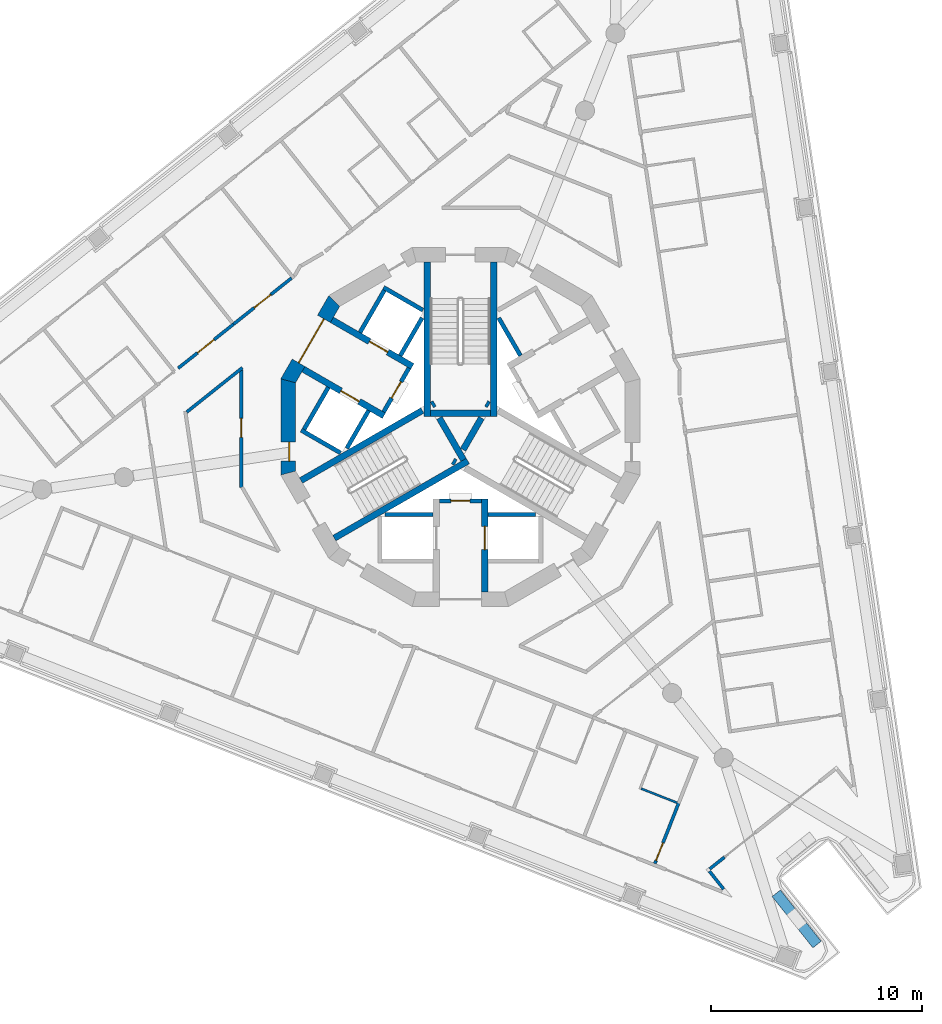
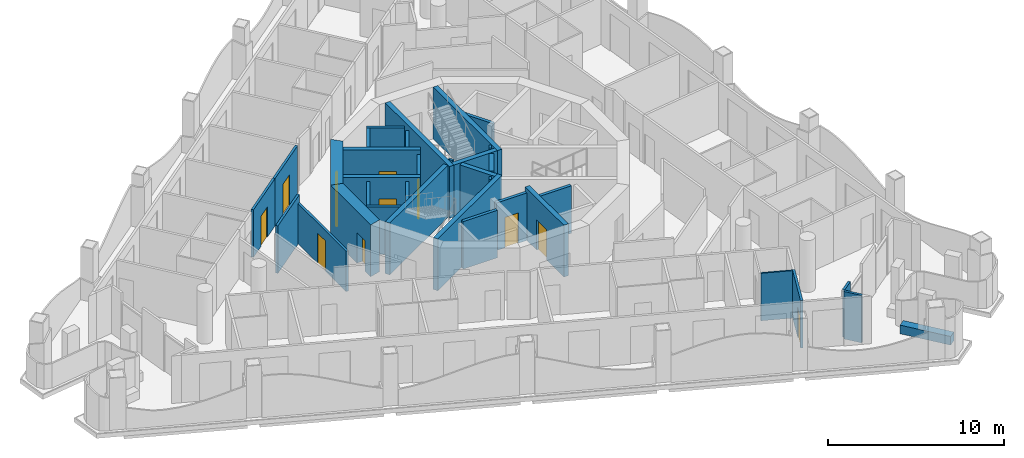
# One storey, part 4 of 16: 35 walls, 11 doors, 11 openings.
"""IFC4 building model written with IfcOpenShell, lengths in metres."""

from ifc_helpers import new_model, si_unit, direction, frame, frame_2d, origin, place, context, subcontext, project, spatial, polyline, rectangle, outline, extrude, material, layer, layer_set, type_object, element, fill, save


model = new_model("IFC4")

# Units and contexts
model_context = context("Model", 3, precision=1e-05, world=origin(), true_north=direction((0.0, 1.0)))
body_context = subcontext(model_context, "Body", "Model", "MODEL_VIEW")
ifc_project = project(units=[si_unit("LENGTHUNIT", "METRE"), si_unit("AREAUNIT", "SQUARE_METRE"), si_unit("VOLUMEUNIT", "CUBIC_METRE"), si_unit("PLANEANGLEUNIT", "RADIAN"), si_unit("MASSUNIT", "GRAM", prefix="KILO")], contexts=[model_context])

# Site, building, storey
site_placement = place(None, origin())
site = spatial("IfcSite", under=ifc_project, at=site_placement, CompositionType="ELEMENT")
building_placement = place(site_placement, origin())
building = spatial("IfcBuilding", under=site, at=building_placement, Name="Trine Commons Tower", CompositionType="ELEMENT")
storey_placement = place(building_placement, frame((0.0, 0.0, 201.60009765625)))
storey = spatial("IfcBuildingStorey", under=building, at=storey_placement, Name="L52", CompositionType="ELEMENT", Elevation=201.60009765625)

# Walls
ifc_material_1 = material(Name="Aluminium-framed insulated wall panel", Category="aluminium")
ifc_layer_1 = layer(ifc_material_1, 0.14990234375)
ifc_layer_set_1 = layer_set([ifc_layer_1], Name="Aluminium-framed insulated wall panel")
wall_type_1 = type_object("IfcWallType", Name="Glazed frame wall 150, EI 60", PredefinedType="SOLIDWALL", material=ifc_layer_set_1)
wall_1_placement = place(storey_placement, frame((92.493896484375, 42.134521484375, 0.0), z_axis=(0.0, 0.0, 1.0), x_axis=(-0.782628082779, -0.622489585492, 0.0)))
element("IfcWall", 1, at=wall_1_placement, inside=storey, type_object=wall_type_1, Name="Glazed frame wall P2.5", PredefinedType="SOLIDWALL", context=body_context, shape_type="SweptSolid", body=[
    extrude(outline(polyline([(0.889892578125, 0.074951171875), (0.0, 0.074951171875), (0.0, -0.074951171875), (0.889892578125, -0.074951171875), (0.889892578125, 0.074951171875)])), origin(), (0.0, 0.0, 1.0), 3.2998046875),
])
wall_2_placement = place(storey_placement, frame((91.716796875, 41.56103515625, 0.0), z_axis=(0.0, 0.0, 1.0), x_axis=(0.622611995912, -0.7825307039, 0.0)))
element("IfcWall", 2, at=wall_2_placement, inside=storey, type_object=wall_type_1, Name="Glazed frame wall R8", PredefinedType="SOLIDWALL", context=body_context, shape_type="SweptSolid", body=[
    extrude(outline(polyline([(0.110107421875, 0.074951171875), (0.110107421875, -0.074951171875), (1.19580078125, -0.074951171875), (1.19580078125, 0.074951171875), (0.110107421875, 0.074951171875)])), origin(), (0.0, 0.0, 1.0), 3.2998046875),
])

# Wall, opening, door
ifc_material_2 = material(Name="Fire-rated gypsum shaft wall system")
ifc_layer_2 = layer(ifc_material_2, 0.199951171875)
ifc_layer_set_2 = layer_set([ifc_layer_2], Name="Fire-rated gypsum shaft wall system")
wall_type_2 = type_object("IfcWallType", Name="Lobby end wall 200 mm, EI 120", PredefinedType="PARTITIONING", material=ifc_layer_set_2)
wall_3_placement = place(storey_placement, frame((77.569091796875, 65.2890625, 0.0), z_axis=(0.0, 0.0, 1.0), x_axis=(-0.50012165622, -0.865955154139, 0.0)))
wall_3 = element("IfcWall", 3, at=wall_3_placement, inside=storey, type_object=wall_type_2, Name="Lobby end wall L52", PredefinedType="PARTITIONING", context=body_context, shape_type="SweptSolid", body=[
    extrude(rectangle(XDim=2.39990234375, YDim=0.199951171875, at=frame_2d((1.199951171875, 0.0))), origin(), (0.0, 0.0, 1.0), 3.2998046875),
])
opening_1_placement = place(wall_3_placement, frame((0.749755859375, 0.0, 0.0)))
opening_1 = element("IfcOpeningElement", 4, at=opening_1_placement, cuts=wall_3, Name="Opening K16.07", PredefinedType="OPENING", context=body_context, shape_type="SweptSolid", body=[
    extrude(rectangle(XDim=0.89990234375, YDim=2.10009765625, at=frame_2d((0.449951171875, 1.050048828125))), frame((0.0, 0.10986328125, 0.0), z_axis=(0.0, -1.0, 0.0), x_axis=(1.0, 0.0, 0.0)), (0.0, 0.0, 1.0), 0.219970703125),
])
ifc_material_3 = material(Name="Steel door leaf, fire-rated", Category="steel")
door_type_1 = type_object("IfcDoorType", Name="Riser access door, single leaf 900 x 2100, FD60", OperationType="SINGLE_SWING_LEFT", PredefinedType="DOOR", material=ifc_material_3)
door_1_placement = place(opening_1_placement, frame((0.89990234375, 0.0, 0.0), z_axis=(0.0, 0.0, 1.0), x_axis=(-1.0, 0.0, 0.0)))
door_1 = element("IfcDoor", 5, at=door_1_placement, inside=storey, type_object=door_type_1, Name="Riser door, Mechanical riser L52", OperationType="SINGLE_SWING_RIGHT", OverallHeight=2.10009765625, OverallWidth=0.89990234375, PredefinedType="DOOR", context=body_context, shape_type="SweptSolid", body=[
    extrude(rectangle(XDim=0.89990234375, YDim=2.10009765625, at=frame_2d((0.449951171875, 1.050048828125))), frame((0.0, 0.02490234375, 0.0), z_axis=(0.0, -1.0, 0.0), x_axis=(1.0, 0.0, 0.0)), (0.0, 0.0, 1.0), 0.050048828125),
])
fill(opening_1, door_1)

wall_4_placement = place(storey_placement, frame((79.0, 59.0, 0.0), z_axis=(0.0, 0.0, 1.0), x_axis=(1.0, 0.0, 0.0)))
wall_4 = element("IfcWall", 6, at=wall_4_placement, inside=storey, type_object=wall_type_2, Name="Lobby end wall L52", PredefinedType="PARTITIONING", context=body_context, shape_type="SweptSolid", body=[
    extrude(rectangle(XDim=2.0, YDim=0.199951171875, at=frame_2d((1.0, 0.0))), origin(), (0.0, 0.0, 1.0), 3.2998046875),
])
opening_2_placement = place(wall_4_placement, frame((0.550048828125, 0.0, 0.0)))
opening_2 = element("IfcOpeningElement", 7, at=opening_2_placement, cuts=wall_4, Name="Opening K16.09", PredefinedType="OPENING", context=body_context, shape_type="SweptSolid", body=[
    extrude(rectangle(XDim=0.89990234375, YDim=2.10009765625, at=frame_2d((0.449951171875, 1.050048828125))), frame((0.0, 0.10986328125, 0.0), z_axis=(0.0, -1.0, 0.0), x_axis=(1.0, 0.0, 0.0)), (0.0, 0.0, 1.0), 0.219970703125),
])
door_2_placement = place(opening_2_placement, frame((0.89990234375, 0.0, 0.0), z_axis=(0.0, 0.0, 1.0), x_axis=(-1.0, 0.0, 0.0)))
door_2 = element("IfcDoor", 8, at=door_2_placement, inside=storey, type_object=door_type_1, Name="Riser door, Communications riser L52", OperationType="SINGLE_SWING_RIGHT", OverallHeight=2.10009765625, OverallWidth=0.89990234375, PredefinedType="DOOR", context=body_context, shape_type="SweptSolid", body=[
    extrude(rectangle(XDim=0.89990234375, YDim=2.10009765625, at=frame_2d((0.449951171875, 1.050048828125))), frame((0.0, 0.02490234375, 0.0), z_axis=(0.0, -1.0, 0.0), x_axis=(1.0, 0.0, 0.0)), (0.0, 0.0, 1.0), 0.050048828125),
])
fill(opening_2, door_2)

# Wall
ifc_material_4 = material(Name="Planter trough, precast concrete C40/50", Category="concrete")
ifc_layer_3 = layer(ifc_material_4, 0.5)
ifc_layer_set_3 = layer_set([ifc_layer_3], Name="Planter trough, precast concrete C40/50")
wall_type_3 = type_object("IfcWallType", Name="Planter trough 500x600", PredefinedType="PARAPET", material=ifc_layer_set_3)
wall_5_placement = place(storey_placement, frame((94.950439453125, 40.427490234375, 0.0), z_axis=(0.0, 0.0, 1.0), x_axis=(0.622550971161, -0.782579253691, 0.0)))
element("IfcWall", 9, at=wall_5_placement, inside=storey, type_object=wall_type_3, Name="Planter 9", PredefinedType="PARAPET", context=body_context, shape_type="SweptSolid", body=[
    extrude(rectangle(XDim=3.10009765625, YDim=0.5, at=frame_2d((1.550048828125, 0.0))), origin(), (0.0, 0.0, 1.0), 0.599853515625),
])

# Wall, opening, door
ifc_material_5 = material(Name="Concrete C60/75", Category="concrete")
ifc_layer_4 = layer(ifc_material_5, 0.300048828125)
ifc_layer_set_4 = layer_set([ifc_layer_4], Name="Concrete C60/75")
wall_type_4 = type_object("IfcWallType", Name="RC shear wall 300 mm, C60/75", PredefinedType="SHEAR", material=ifc_layer_set_4)
wall_6_placement = place(storey_placement, frame((76.381103515625, 63.031005859375, 0.0), z_axis=(0.0, 0.0, 1.0), x_axis=(-0.866059941101, 0.499940174841, 0.0)))
wall_6 = element("IfcWall", 10, at=wall_6_placement, inside=storey, type_object=wall_type_4, Name="Core cross wall SWC-01 L52", PredefinedType="SHEAR", context=body_context, shape_type="SweptSolid", body=[
    extrude(rectangle(XDim=4.400390625, YDim=0.300048828125, at=frame_2d((2.2001953125, 0.0))), origin(), (0.0, 0.0, 1.0), 3.599853515625),
])
opening_3_placement = place(wall_6_placement, frame((1.350341796875, 0.0, 0.0)))
opening_3 = element("IfcOpeningElement", 11, at=opening_3_placement, cuts=wall_6, Name="Opening LD7", PredefinedType="OPENING", context=body_context, shape_type="SweptSolid", body=[
    extrude(rectangle(XDim=1.0, YDim=2.10009765625, at=frame_2d((0.5, 1.050048828125))), frame((0.0, 0.159912109375, 0.0), z_axis=(0.0, -1.0, 0.0), x_axis=(1.0, 0.0, 0.0)), (0.0, 0.0, 1.0), 0.320068359375),
])
ifc_material_6 = material(Name="Stainless steel sliding door leaves", Category="steel")
door_type_2 = type_object("IfcDoorType", Name="Lift landing door, centre-opening sliding 1000 x 2100, FD90", OperationType="DOUBLE_DOOR_SLIDING", PredefinedType="DOOR", material=ifc_material_6)
door_3_placement = place(opening_3_placement, origin())
door_3 = element("IfcDoor", 12, at=door_3_placement, inside=storey, type_object=door_type_2, Name="Lift landing door HR3 L52", OperationType="DOUBLE_DOOR_SLIDING", OverallHeight=2.10009765625, OverallWidth=1.0, PredefinedType="DOOR", context=body_context, shape_type="SweptSolid", body=[
    extrude(rectangle(XDim=1.0, YDim=2.10009765625, at=frame_2d((0.5, 1.050048828125))), frame((0.0, 0.02490234375, 0.0), z_axis=(0.0, -1.0, 0.0), x_axis=(1.0, 0.0, 0.0)), (0.0, 0.0, 1.0), 0.050048828125),
])
fill(opening_3, door_3)

wall_7_placement = place(storey_placement, frame((77.73095703125, 65.368896484375, 0.0), z_axis=(0.0, 0.0, 1.0), x_axis=(-0.866035918664, 0.499981787252, 0.0)))
wall_7 = element("IfcWall", 13, at=wall_7_placement, inside=storey, type_object=wall_type_4, Name="Core cross wall SWC-02 L52", PredefinedType="SHEAR", context=body_context, shape_type="SweptSolid", body=[
    extrude(rectangle(XDim=4.400634765625, YDim=0.300048828125, at=frame_2d((2.2001953125, 0.0))), origin(), (0.0, 0.0, 1.0), 3.599853515625),
])
opening_4_placement = place(wall_7_placement, frame((1.3505859375, 0.0, 0.0)))
opening_4 = element("IfcOpeningElement", 14, at=opening_4_placement, cuts=wall_7, Name="Opening LD8", PredefinedType="OPENING", context=body_context, shape_type="SweptSolid", body=[
    extrude(rectangle(XDim=1.0, YDim=2.10009765625, at=frame_2d((0.5, 1.050048828125))), frame((0.0, 0.159912109375, 0.0), z_axis=(0.0, -1.0, 0.0), x_axis=(1.0, 0.0, 0.0)), (0.0, 0.0, 1.0), 0.320068359375),
])
door_4_placement = place(opening_4_placement, origin())
door_4 = element("IfcDoor", 15, at=door_4_placement, inside=storey, type_object=door_type_2, Name="Lift landing door HR4 L52", OperationType="DOUBLE_DOOR_SLIDING", OverallHeight=2.10009765625, OverallWidth=1.0, PredefinedType="DOOR", context=body_context, shape_type="SweptSolid", body=[
    extrude(rectangle(XDim=1.0, YDim=2.10009765625, at=frame_2d((0.5, 1.050048828125))), frame((0.0, 0.02490234375, 0.0), z_axis=(0.0, -1.0, 0.0), x_axis=(1.0, 0.0, 0.0)), (0.0, 0.0, 1.0), 0.050048828125),
])
fill(opening_4, door_4)

wall_8_placement = place(storey_placement, frame((81.14990234375, 59.10009765625, 0.0), z_axis=(0.0, 0.0, 1.0), x_axis=(0.0, -1.0, 0.0)))
wall_8 = element("IfcWall", 16, at=wall_8_placement, inside=storey, type_object=wall_type_4, Name="Core cross wall SWC-04 L52", PredefinedType="SHEAR", context=body_context, shape_type="SweptSolid", body=[
    extrude(rectangle(XDim=4.400146484375, YDim=0.300048828125, at=frame_2d((2.2001953125, 0.0))), origin(), (0.0, 0.0, 1.0), 3.599853515625),
])
opening_5_placement = place(wall_8_placement, frame((1.300048828125, 0.0, 0.0)))
opening_5 = element("IfcOpeningElement", 17, at=opening_5_placement, cuts=wall_8, Name="Opening LD9", PredefinedType="OPENING", context=body_context, shape_type="SweptSolid", body=[
    extrude(rectangle(XDim=1.10009765625, YDim=2.10009765625, at=frame_2d((0.550048828125, 1.050048828125))), frame((0.0, 0.159912109375, 0.0), z_axis=(0.0, -1.0, 0.0), x_axis=(1.0, 0.0, 0.0)), (0.0, 0.0, 1.0), 0.320068359375),
])
door_type_3 = type_object("IfcDoorType", Name="Lift landing door, centre-opening sliding 1100 x 2100, FD90", OperationType="DOUBLE_DOOR_SLIDING", PredefinedType="DOOR", material=ifc_material_6)
door_5_placement = place(opening_5_placement, origin())
door_5 = element("IfcDoor", 18, at=door_5_placement, inside=storey, type_object=door_type_3, Name="Lift landing door FF1 L52", OperationType="DOUBLE_DOOR_SLIDING", OverallHeight=2.10009765625, OverallWidth=1.10009765625, PredefinedType="DOOR", context=body_context, shape_type="SweptSolid", body=[
    extrude(rectangle(XDim=1.10009765625, YDim=2.10009765625, at=frame_2d((0.550048828125, 1.050048828125))), frame((0.0, 0.02490234375, 0.0), z_axis=(0.0, -1.0, 0.0), x_axis=(1.0, 0.0, 0.0)), (0.0, 0.0, 1.0), 0.050048828125),
])
fill(opening_5, door_5)

# Walls
wall_9_placement = place(storey_placement, frame((78.199951171875, 63.280029296875, 0.0), z_axis=(0.0, 0.0, 1.0), x_axis=(-0.866009627307, -0.500027324665, 0.0)))
element("IfcWall", 19, at=wall_9_placement, inside=storey, type_object=wall_type_4, Name="Core cross wall SWC-07 L52", PredefinedType="SHEAR", context=body_context, shape_type="SweptSolid", body=[
    extrude(rectangle(XDim=6.631591796875, YDim=0.300048828125, at=frame_2d((3.31591796875, 0.0))), origin(), (0.0, 0.0, 1.0), 3.599853515625),
])
wall_10_placement = place(storey_placement, frame((78.425048828125, 63.0009765625, 0.0), z_axis=(0.0, 0.0, 1.0), x_axis=(0.0, 1.0, 0.0)))
element("IfcWall", 20, at=wall_10_placement, inside=storey, type_object=wall_type_4, Name="Core cross wall SWC-08 L52", PredefinedType="SHEAR", context=body_context, shape_type="SweptSolid", body=[
    extrude(rectangle(XDim=7.299072265625, YDim=0.300048828125, at=frame_2d((3.6494140625, 0.0))), origin(), (0.0, 0.0, 1.0), 3.599853515625),
])
wall_11_placement = place(storey_placement, frame((78.779052734375, 63.614013671875, 0.0), z_axis=(0.0, 0.0, 1.0), x_axis=(-0.867737973955, -0.497021939713, 0.0)))
element("IfcWall", 21, at=wall_11_placement, inside=storey, type_object=wall_type_4, Name="Core cross wall SWC-09 L52", PredefinedType="SHEAR", context=body_context, shape_type="SweptSolid", body=[
    extrude(rectangle(XDim=0.14892578125, YDim=0.300048828125, at=frame_2d((0.074462890625, 0.0))), origin(), (0.0, 0.0, 1.0), 3.599853515625),
])
wall_12_placement = place(storey_placement, frame((79.0029296875, 62.926025390625, 0.0), z_axis=(0.0, 0.0, 1.0), x_axis=(0.499965247104, -0.866045467449, 0.0)))
element("IfcWall", 22, at=wall_12_placement, inside=storey, type_object=wall_type_4, Name="Core cross wall SWC-10 L52", PredefinedType="SHEAR", context=body_context, shape_type="SweptSolid", body=[
    extrude(rectangle(XDim=2.292236328125, YDim=0.300048828125, at=frame_2d((1.14599609375, 0.0))), origin(), (0.0, 0.0, 1.0), 3.599853515625),
])
wall_13_placement = place(storey_placement, frame((79.64599609375, 60.885986328125, 0.0), z_axis=(0.0, 0.0, 1.0), x_axis=(0.867331893649, -0.497730234424, 0.0)))
element("IfcWall", 23, at=wall_13_placement, inside=storey, type_object=wall_type_4, Name="Core cross wall SWC-11 L52", PredefinedType="SHEAR", context=body_context, shape_type="SweptSolid", body=[
    extrude(rectangle(XDim=0.148681640625, YDim=0.300048828125, at=frame_2d((0.07421875, 0.0))), origin(), (0.0, 0.0, 1.0), 3.599853515625),
])
wall_14_placement = place(storey_placement, frame((80.1298828125, 61.424072265625, 0.0), z_axis=(0.0, 0.0, 1.0), x_axis=(0.500014901547, 0.866016800201, 0.0)))
element("IfcWall", 24, at=wall_14_placement, inside=storey, type_object=wall_type_4, Name="Core cross wall SWC-12 L52", PredefinedType="SHEAR", context=body_context, shape_type="SweptSolid", body=[
    extrude(rectangle(XDim=1.734375, YDim=0.300048828125, at=frame_2d((0.8671875, 0.0))), origin(), (0.0, 0.0, 1.0), 3.599853515625),
])
wall_15_placement = place(storey_placement, frame((80.35400390625, 60.885986328125, 0.0), z_axis=(0.0, 0.0, 1.0), x_axis=(-0.866032430508, -0.49998782916, 0.0)))
element("IfcWall", 25, at=wall_15_placement, inside=storey, type_object=wall_type_4, Name="Core cross wall SWC-14 L52", PredefinedType="SHEAR", context=body_context, shape_type="SweptSolid", body=[
    extrude(rectangle(XDim=7.300048828125, YDim=0.300048828125, at=frame_2d((3.64990234375, 0.0))), origin(), (0.0, 0.0, 1.0), 3.599853515625),
])
wall_16_placement = place(storey_placement, frame((81.220947265625, 63.614013671875, 0.0), z_axis=(0.0, 0.0, 1.0), x_axis=(0.867737973955, -0.497021939713, 0.0)))
element("IfcWall", 26, at=wall_16_placement, inside=storey, type_object=wall_type_4, Name="Core cross wall SWC-15 L52", PredefinedType="SHEAR", context=body_context, shape_type="SweptSolid", body=[
    extrude(rectangle(XDim=0.14892578125, YDim=0.300048828125, at=frame_2d((0.074462890625, 0.0))), origin(), (0.0, 0.0, 1.0), 3.599853515625),
])
wall_17_placement = place(storey_placement, frame((81.425048828125, 63.15087890625, 0.0), z_axis=(0.0, 0.0, 1.0), x_axis=(-1.0, 0.0, 0.0)))
element("IfcWall", 27, at=wall_17_placement, inside=storey, type_object=wall_type_4, Name="Core cross wall SWC-16 L52", PredefinedType="SHEAR", context=body_context, shape_type="SweptSolid", body=[
    extrude(rectangle(XDim=2.85009765625, YDim=0.300048828125, at=frame_2d((1.425048828125, 0.0))), origin(), (0.0, 0.0, 1.0), 3.599853515625),
])
wall_18_placement = place(storey_placement, frame((81.574951171875, 63.0009765625, 0.0), z_axis=(0.0, 0.0, 1.0), x_axis=(0.0, 1.0, 0.0)))
element("IfcWall", 28, at=wall_18_placement, inside=storey, type_object=wall_type_4, Name="Core cross wall SWC-17 L52", PredefinedType="SHEAR", context=body_context, shape_type="SweptSolid", body=[
    extrude(rectangle(XDim=7.299072265625, YDim=0.300048828125, at=frame_2d((3.6494140625, 0.0))), origin(), (0.0, 0.0, 1.0), 3.599853515625),
])

# Wall, opening, door
ifc_layer_5 = layer(ifc_material_5, 0.699951171875)
ifc_layer_set_5 = layer_set([ifc_layer_5], Name="Concrete C60/75")
wall_type_5 = type_object("IfcWallType", Name="RC shear wall 700 mm, C60/75", PredefinedType="SHEAR", material=ifc_layer_set_5)
wall_19_placement = place(storey_placement, frame((74.08056640625, 68.547607421875, 0.0), z_axis=(0.0, 0.0, 1.0), x_axis=(-0.499983800959, -0.866034756103, 0.0)))
wall_19 = element("IfcWall", 29, at=wall_19_placement, inside=storey, type_object=wall_type_5, Name="Core wall CWF-06 L52", PredefinedType="SHEAR", context=body_context, shape_type="SweptSolid", body=[
    extrude(outline(polyline([(0.0, -0.35009765625), (4.55517578125, -0.35009765625), (4.36767578125, 0.35009765625), (0.1875, 0.35009765625), (0.0, -0.35009765625)])), origin(), (0.0, 0.0, 1.0), 3.599853515625),
])
opening_6_placement = place(wall_19_placement, frame((1.077392578125, 0.0, 0.0)))
opening_6 = element("IfcOpeningElement", 30, at=opening_6_placement, cuts=wall_19, Name="Opening K16.06", PredefinedType="OPENING", context=body_context, shape_type="SweptSolid", body=[
    extrude(rectangle(XDim=2.39990234375, YDim=2.10009765625, at=frame_2d((1.199951171875, 1.050048828125))), frame((0.0, 0.35986328125, 0.0), z_axis=(0.0, -1.0, 0.0), x_axis=(1.0, 0.0, 0.0)), (0.0, 0.0, 1.0), 0.719970703125),
])
ifc_material_7 = material(Name="Steel door leaves, fire-rated", Category="steel")
door_type_4 = type_object("IfcDoorType", Name="Lobby door, double leaf 2400 x 2100, FD60", OperationType="DOUBLE_DOOR_SINGLE_SWING", PredefinedType="DOOR", material=ifc_material_7)
door_6_placement = place(opening_6_placement, origin())
door_6 = element("IfcDoor", 31, at=door_6_placement, inside=storey, type_object=door_type_4, Name="Lobby door, Passenger lift lobby B L52", OperationType="DOUBLE_DOOR_SINGLE_SWING", OverallHeight=2.10009765625, OverallWidth=2.39990234375, PredefinedType="DOOR", context=body_context, shape_type="SweptSolid", body=[
    extrude(rectangle(XDim=2.39990234375, YDim=2.10009765625, at=frame_2d((1.199951171875, 1.050048828125))), frame((0.0, 0.02490234375, 0.0), z_axis=(0.0, -1.0, 0.0), x_axis=(1.0, 0.0, 0.0)), (0.0, 0.0, 1.0), 0.050048828125),
])
fill(opening_6, door_6)

wall_20_placement = place(storey_placement, frame((71.849853515625, 64.777587890625, 0.0), z_axis=(0.0, 0.0, 1.0), x_axis=(0.0, -1.0, 0.0)))
wall_20 = element("IfcWall", 32, at=wall_20_placement, inside=storey, type_object=wall_type_5, Name="Core wall CWF-07 L52", PredefinedType="SHEAR", context=body_context, shape_type="SweptSolid", body=[
    extrude(outline(polyline([(0.0, -0.35009765625), (4.55517578125, -0.35009765625), (4.36767578125, 0.35009765625), (0.1875, 0.35009765625), (0.0, -0.35009765625)])), origin(), (0.0, 0.0, 1.0), 3.599853515625),
])
opening_7_placement = place(wall_20_placement, frame((2.99169921875, 0.0, 0.0)))
opening_7 = element("IfcOpeningElement", 33, at=opening_7_placement, cuts=wall_20, Name="Opening K16.14", PredefinedType="OPENING", context=body_context, shape_type="SweptSolid", body=[
    extrude(rectangle(XDim=0.89990234375, YDim=2.10009765625, at=frame_2d((0.449951171875, 1.050048828125))), frame((0.0, 0.35986328125, 0.0), z_axis=(0.0, -1.0, 0.0), x_axis=(1.0, 0.0, 0.0)), (0.0, 0.0, 1.0), 0.719970703125),
])
door_type_5 = type_object("IfcDoorType", Name="Core room door, single leaf 900 x 2100, FD30S", OperationType="SINGLE_SWING_LEFT", PredefinedType="DOOR", material=ifc_material_3)
door_7_placement = place(opening_7_placement, origin())
door_7 = element("IfcDoor", 34, at=door_7_placement, inside=storey, type_object=door_type_5, Name="Door to Pantry L52", OperationType="SINGLE_SWING_RIGHT", OverallHeight=2.10009765625, OverallWidth=0.89990234375, PredefinedType="DOOR", context=body_context, shape_type="SweptSolid", body=[
    extrude(rectangle(XDim=0.89990234375, YDim=2.10009765625, at=frame_2d((0.449951171875, 1.050048828125))), frame((0.0, 0.0751953125, 0.0), z_axis=(0.0, -1.0, 0.0), x_axis=(1.0, 0.0, 0.0)), (0.0, 0.0, 1.0), 0.050048828125),
])
fill(opening_7, door_7)

# Walls
ifc_layer_6 = layer(ifc_material_2, 0.199951171875)
ifc_layer_set_6 = layer_set([ifc_layer_6], Name="Fire-rated gypsum shaft wall system")
wall_type_6 = type_object("IfcWallType", Name="Shaft wall 200 mm, EI 120", PredefinedType="PARTITIONING", material=ifc_layer_set_6)
wall_21_placement = place(storey_placement, frame((73.7509765625, 64.3759765625, 0.0), z_axis=(0.0, 0.0, 1.0), x_axis=(-0.500136062276, -0.86594683394, 0.0)))
element("IfcWall", 35, at=wall_21_placement, inside=storey, type_object=wall_type_6, Name="Shaft wall L52", PredefinedType="PARTITIONING", context=body_context, shape_type="SweptSolid", body=[
    extrude(rectangle(XDim=2.299072265625, YDim=0.199951171875, at=frame_2d((1.1494140625, 0.0))), origin(), (0.0, 0.0, 1.0), 3.2998046875),
])
wall_22_placement = place(storey_placement, frame((74.324951171875, 61.27392578125, 0.0), z_axis=(0.0, 0.0, 1.0), x_axis=(-0.866102336459, 0.499866725018, 0.0)))
element("IfcWall", 36, at=wall_22_placement, inside=storey, type_object=wall_type_6, Name="Shaft wall L52", PredefinedType="PARTITIONING", context=body_context, shape_type="SweptSolid", body=[
    extrude(rectangle(XDim=2.1484375, YDim=0.199951171875, at=frame_2d((1.07421875, 0.0))), origin(), (0.0, 0.0, 1.0), 3.2998046875),
])
wall_23_placement = place(storey_placement, frame((75.2509765625, 66.97412109375, 0.0), z_axis=(0.0, 0.0, 1.0), x_axis=(0.500136062276, 0.86594683394, 0.0)))
element("IfcWall", 37, at=wall_23_placement, inside=storey, type_object=wall_type_6, Name="Shaft wall L52", PredefinedType="PARTITIONING", context=body_context, shape_type="SweptSolid", body=[
    extrude(rectangle(XDim=2.299072265625, YDim=0.199951171875, at=frame_2d((1.1494140625, 0.0))), origin(), (0.0, 0.0, 1.0), 3.2998046875),
])
wall_24_placement = place(storey_placement, frame((75.656005859375, 63.27587890625, 0.0), z_axis=(0.0, 0.0, 1.0), x_axis=(-0.500271688072, -0.86586848777, 0.0)))
element("IfcWall", 38, at=wall_24_placement, inside=storey, type_object=wall_type_6, Name="Shaft wall L52", PredefinedType="PARTITIONING", context=body_context, shape_type="SweptSolid", body=[
    extrude(rectangle(XDim=2.064697265625, YDim=0.199951171875, at=frame_2d((1.0322265625, 0.0))), origin(), (0.0, 0.0, 1.0), 3.2998046875),
])
wall_25_placement = place(storey_placement, frame((77.156005859375, 65.8740234375, 0.0), z_axis=(0.0, 0.0, 1.0), x_axis=(0.499865770674, 0.866102887253, 0.0)))
element("IfcWall", 39, at=wall_25_placement, inside=storey, type_object=wall_type_6, Name="Shaft wall L52", PredefinedType="PARTITIONING", context=body_context, shape_type="SweptSolid", body=[
    extrude(rectangle(XDim=2.064453125, YDim=0.199951171875, at=frame_2d((1.0322265625, 0.0))), origin(), (0.0, 0.0, 1.0), 3.2998046875),
])
wall_26_placement = place(storey_placement, frame((78.22509765625, 68.028076171875, 0.0), z_axis=(0.0, 0.0, 1.0), x_axis=(-0.866130725101, 0.499817533742, 0.0)))
element("IfcWall", 40, at=wall_26_placement, inside=storey, type_object=wall_type_6, Name="Shaft wall L52", PredefinedType="PARTITIONING", context=body_context, shape_type="SweptSolid", body=[
    extrude(rectangle(XDim=2.148681640625, YDim=0.199951171875, at=frame_2d((1.07421875, 0.0))), origin(), (0.0, 0.0, 1.0), 3.2998046875),
])
for number, where, z_axis, x_axis, name in (
    (41, (78.699951171875, 58.35009765625, 0.0), (0.0, 0.0, 1.0), (-1.0, 0.0, 0.0), "Shaft wall L52"),
    (42, (81.300048828125, 58.35009765625, 0.0), (0.0, 0.0, 1.0), (1.0, 0.0, 0.0), "Shaft wall L52"),
):
    element("IfcWall", number, at=place(storey_placement, frame(where, z_axis=z_axis, x_axis=x_axis)), inside=storey, type_object=wall_type_6, Name=name, PredefinedType="PARTITIONING", context=body_context, shape_type="SweptSolid", body=[
        extrude(rectangle(XDim=2.264892578125, YDim=0.199951171875, at=frame_2d((1.13232421875, 0.0))), origin(), (0.0, 0.0, 1.0), 3.2998046875),
    ])
wall_27_placement = place(storey_placement, frame((82.843994140625, 65.8740234375, 0.0), z_axis=(0.0, 0.0, 1.0), x_axis=(-0.499865770674, 0.866102887253, 0.0)))
element("IfcWall", 43, at=wall_27_placement, inside=storey, type_object=wall_type_6, Name="Shaft wall L52", PredefinedType="PARTITIONING", context=body_context, shape_type="SweptSolid", body=[
    extrude(rectangle(XDim=2.064453125, YDim=0.199951171875, at=frame_2d((1.0322265625, 0.0))), origin(), (0.0, 0.0, 1.0), 3.2998046875),
])

# Wall, opening, door
ifc_material_8 = material(Name="Gypsum plasterboard on steel stud", Category="steel")
ifc_layer_7 = layer(ifc_material_8, 0.14990234375)
ifc_layer_set_7 = layer_set([ifc_layer_7], Name="Gypsum plasterboard on steel stud")
wall_type_7 = type_object("IfcWallType", Name="Unit and corridor wall 150 mm, EI 60", PredefinedType="PARTITIONING", material=ifc_layer_set_7)
wall_28_placement = place(storey_placement, frame((66.64306640625, 65.280029296875, 0.0), z_axis=(0.0, 0.0, 1.0), x_axis=(0.782743987557, 0.622343835788, 0.0)))
wall_28 = element("IfcWall", 44, at=wall_28_placement, inside=storey, type_object=wall_type_7, Name="Partition 023", PredefinedType="PARTITIONING", context=body_context, shape_type="SweptSolid", body=[
    extrude(rectangle(XDim=3.346923828125, YDim=0.14990234375, at=frame_2d((1.67333984375, 0.0))), origin(), (0.0, 0.0, 1.0), 3.2998046875),
])
opening_8_placement = place(wall_28_placement, frame((1.171875, 0.0, 0.0)))
opening_8 = element("IfcOpeningElement", 45, at=opening_8_placement, cuts=wall_28, Name="Opening D-6A07", PredefinedType="OPENING", context=body_context, shape_type="SweptSolid", body=[
    extrude(rectangle(XDim=1.0, YDim=2.10009765625, at=frame_2d((0.5, 1.050048828125))), frame((0.0, 0.0849609375, 0.0), z_axis=(0.0, -1.0, 0.0), x_axis=(1.0, 0.0, 0.0)), (0.0, 0.0, 1.0), 0.169921875),
])
ifc_material_9 = material(Name="Painted timber", Category="wood")
door_type_6 = type_object("IfcDoorType", Name="Amenity room door 1000 x 2100, NOT RATED", OperationType="NOTDEFINED", PredefinedType="DOOR", material=ifc_material_9)
door_8_placement = place(opening_8_placement, origin())
door_8 = element("IfcDoor", 46, at=door_8_placement, inside=storey, type_object=door_type_6, Name="Door D-6A07", OperationType="SINGLE_SWING_LEFT", OverallHeight=2.10009765625, OverallWidth=1.0, PredefinedType="DOOR", context=body_context, shape_type="SweptSolid", body=[
    extrude(rectangle(XDim=1.0, YDim=2.10009765625, at=frame_2d((0.5, 1.050048828125))), frame((0.0, 0.02490234375, 0.0), z_axis=(0.0, -1.0, 0.0), x_axis=(1.0, 0.0, 0.0)), (0.0, 0.0, 1.0), 0.050048828125),
])
fill(opening_8, door_8)

# Wall
wall_29_placement = place(storey_placement, frame((67.0498046875, 63.206787109375, 0.0), z_axis=(0.0, 0.0, 1.0), x_axis=(0.782472540885, 0.622685091166, 0.0)))
element("IfcWall", 47, at=wall_29_placement, inside=storey, type_object=wall_type_7, Name="Partition 025", PredefinedType="PARTITIONING", context=body_context, shape_type="SweptSolid", body=[
    extrude(rectangle(XDim=3.365966796875, YDim=0.14990234375, at=frame_2d((1.68310546875, 0.0))), origin(), (0.0, 0.0, 1.0), 3.2998046875),
])

# Wall, opening, door
wall_30_placement = place(storey_placement, frame((69.257080078125, 67.35888671875, 0.0), z_axis=(0.0, 0.0, 1.0), x_axis=(0.782922929563, 0.622118707615, 0.0)))
wall_30 = element("IfcWall", 48, at=wall_30_placement, inside=storey, type_object=wall_type_7, Name="Partition 031", PredefinedType="PARTITIONING", context=body_context, shape_type="SweptSolid", body=[
    extrude(rectangle(XDim=3.517822265625, YDim=0.14990234375, at=frame_2d((1.7587890625, 0.0))), origin(), (0.0, 0.0, 1.0), 3.2998046875),
])
opening_9_placement = place(wall_30_placement, frame((1.2607421875, 0.0, 0.0)))
opening_9 = element("IfcOpeningElement", 49, at=opening_9_placement, cuts=wall_30, Name="Opening D-6A08", PredefinedType="OPENING", context=body_context, shape_type="SweptSolid", body=[
    extrude(rectangle(XDim=1.0, YDim=2.10009765625, at=frame_2d((0.5, 1.050048828125))), frame((0.0, 0.0849609375, 0.0), z_axis=(0.0, -1.0, 0.0), x_axis=(1.0, 0.0, 0.0)), (0.0, 0.0, 1.0), 0.169921875),
])
door_9_placement = place(opening_9_placement, origin())
door_9 = element("IfcDoor", 50, at=door_9_placement, inside=storey, type_object=door_type_6, Name="Door D-6A08", OperationType="SINGLE_SWING_RIGHT", OverallHeight=2.10009765625, OverallWidth=1.0, PredefinedType="DOOR", context=body_context, shape_type="SweptSolid", body=[
    extrude(rectangle(XDim=1.0, YDim=2.10009765625, at=frame_2d((0.5, 1.050048828125))), frame((0.0, 0.02490234375, 0.0), z_axis=(0.0, -1.0, 0.0), x_axis=(1.0, 0.0, 0.0)), (0.0, 0.0, 1.0), 0.050048828125),
])
fill(opening_9, door_9)

wall_31_placement = place(storey_placement, frame((69.625, 59.64501953125, 0.0), z_axis=(0.0, 0.0, 1.0), x_axis=(0.0, 1.0, 0.0)))
wall_31 = element("IfcWall", 51, at=wall_31_placement, inside=storey, type_object=wall_type_7, Name="Partition 032", PredefinedType="PARTITIONING", context=body_context, shape_type="SweptSolid", body=[
    extrude(rectangle(XDim=5.5400390625, YDim=0.14990234375, at=frame_2d((2.77001953125, 0.0))), origin(), (0.0, 0.0, 1.0), 2.7998046875),
])
opening_10_placement = place(wall_31_placement, frame((2.357421875, 0.0, 0.0)))
opening_10 = element("IfcOpeningElement", 52, at=opening_10_placement, cuts=wall_31, Name="Opening D-6A28", PredefinedType="OPENING", context=body_context, shape_type="SweptSolid", body=[
    extrude(rectangle(XDim=0.89990234375, YDim=2.10009765625, at=frame_2d((0.449951171875, 1.050048828125))), frame((0.0, 0.0849609375, 0.0), z_axis=(0.0, -1.0, 0.0), x_axis=(1.0, 0.0, 0.0)), (0.0, 0.0, 1.0), 0.169921875),
])
ifc_material_10 = material(Name="Timber fire door set", Category="wood")
door_type_7 = type_object("IfcDoorType", Name="Service door 900 x 2100, FD30S", OperationType="NOTDEFINED", PredefinedType="DOOR", material=ifc_material_10)
door_10_placement = place(opening_10_placement, origin())
door_10 = element("IfcDoor", 53, at=door_10_placement, inside=storey, type_object=door_type_7, Name="Door D-6A28", OperationType="SINGLE_SWING_RIGHT", OverallHeight=2.10009765625, OverallWidth=0.89990234375, PredefinedType="DOOR", context=body_context, shape_type="SweptSolid", body=[
    extrude(rectangle(XDim=0.89990234375, YDim=2.10009765625, at=frame_2d((0.449951171875, 1.050048828125))), frame((0.0, 0.02490234375, 0.0), z_axis=(0.0, -1.0, 0.0), x_axis=(1.0, 0.0, 0.0)), (0.0, 0.0, 1.0), 0.050048828125),
])
fill(opening_10, door_10)

wall_32_placement = place(storey_placement, frame((89.20458984375, 41.838134765625, 0.0), z_axis=(0.0, 0.0, 1.0), x_axis=(0.366573872911, 0.930388948612, 0.0)))
wall_32 = element("IfcWall", 54, at=wall_32_placement, inside=storey, type_object=wall_type_7, Name="Partition 100", PredefinedType="PARTITIONING", context=body_context, shape_type="SweptSolid", body=[
    extrude(rectangle(XDim=3.1142578125, YDim=0.14990234375, at=frame_2d((1.55712890625, 0.0))), origin(), (0.0, 0.0, 1.0), 3.2998046875),
])
opening_11_placement = place(wall_32_placement, frame((0.14990234375, 0.0, 0.0)))
opening_11 = element("IfcOpeningElement", 55, at=opening_11_placement, cuts=wall_32, Name="Opening D-6A20", PredefinedType="OPENING", context=body_context, shape_type="SweptSolid", body=[
    extrude(rectangle(XDim=0.89990234375, YDim=2.10009765625, at=frame_2d((0.449951171875, 1.050048828125))), frame((0.0, 0.0849609375, 0.0), z_axis=(0.0, -1.0, 0.0), x_axis=(1.0, 0.0, 0.0)), (0.0, 0.0, 1.0), 0.169921875),
])
door_type_8 = type_object("IfcDoorType", Name="Bedroom door 900 x 2100, FD30S", OperationType="NOTDEFINED", PredefinedType="DOOR", material=ifc_material_10)
door_11_placement = place(opening_11_placement, origin())
door_11 = element("IfcDoor", 56, at=door_11_placement, inside=storey, type_object=door_type_8, Name="Door D-6A20", OperationType="SINGLE_SWING_LEFT", OverallHeight=2.10009765625, OverallWidth=0.89990234375, PredefinedType="DOOR", context=body_context, shape_type="SweptSolid", body=[
    extrude(rectangle(XDim=0.89990234375, YDim=2.10009765625, at=frame_2d((0.449951171875, 1.050048828125))), frame((0.0, 0.02490234375, 0.0), z_axis=(0.0, -1.0, 0.0), x_axis=(1.0, 0.0, 0.0)), (0.0, 0.0, 1.0), 0.050048828125),
])
fill(opening_11, door_11)

# Wall
ifc_layer_8 = layer(ifc_material_8, 0.10009765625)
ifc_layer_set_8 = layer_set([ifc_layer_8], Name="Gypsum plasterboard on steel stud")
wall_type_8 = type_object("IfcWallType", Name="Unit partition 100 mm, no rating", PredefinedType="PARTITIONING", material=ifc_layer_set_8)
wall_33_placement = place(storey_placement, frame((88.55859375, 45.381591796875, 0.0), z_axis=(0.0, 0.0, 1.0), x_axis=(0.93039180792, -0.366566615712, 0.0)))
element("IfcWall", 57, at=wall_33_placement, inside=storey, type_object=wall_type_8, Name="Partition 093", PredefinedType="PARTITIONING", context=body_context, shape_type="SweptSolid", body=[
    extrude(rectangle(XDim=1.825439453125, YDim=0.10009765625, at=frame_2d((0.91259765625, 0.0))), origin(), (0.0, 0.0, 1.0), 3.2998046875),
])

save(model, "model.ifc")
